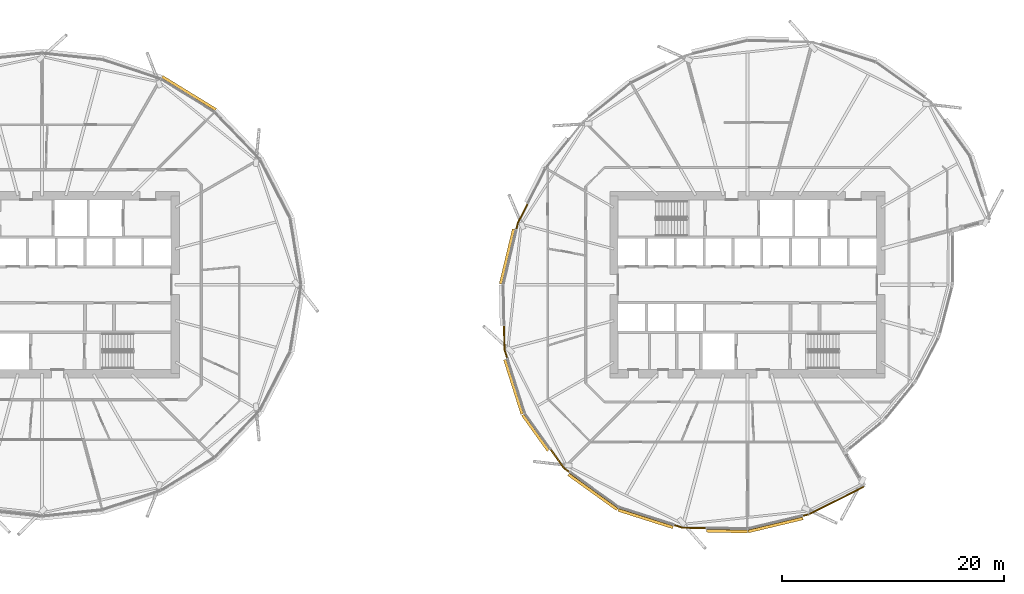
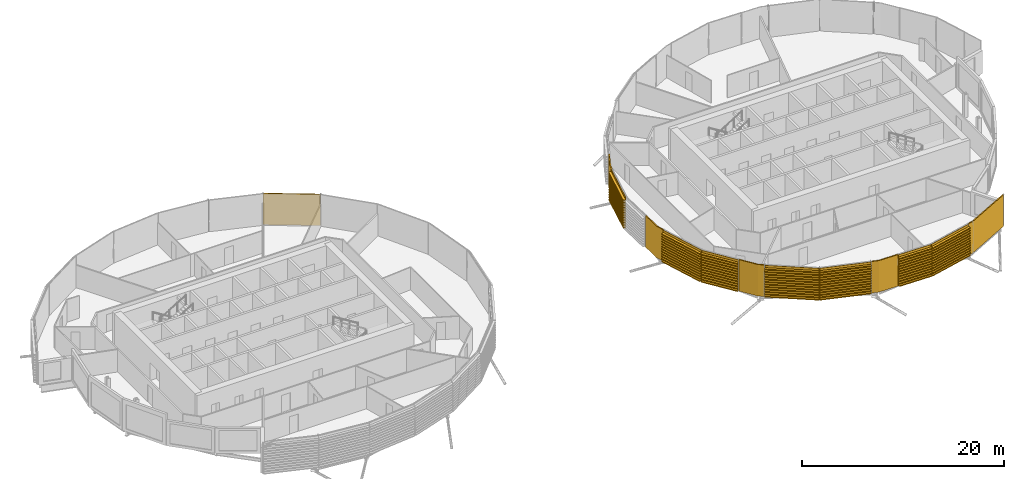
# One storey, part 37 of 39: 13 coverings.
"""IFC4 building model written with IfcOpenShell, lengths in metres."""

from ifc_helpers import new_model, si_unit, direction, frame, origin, place, context, subcontext, project, spatial, polyline, outline, extrude, material, layer, layer_set, material_profile, profile_set, type_object, element, save


model = new_model("IFC4")

# Units and contexts
model_context = context("Model", 3, precision=1e-05, world=origin(), true_north=direction((0.0, 1.0)))
body_context = subcontext(model_context, "Body", "Model", "MODEL_VIEW")
ifc_project = project(units=[si_unit("LENGTHUNIT", "METRE"), si_unit("AREAUNIT", "SQUARE_METRE"), si_unit("VOLUMEUNIT", "CUBIC_METRE"), si_unit("PLANEANGLEUNIT", "RADIAN"), si_unit("MASSUNIT", "GRAM", prefix="KILO")], contexts=[model_context])

# Site, building, storey
site_placement = place(None, origin())
site = spatial("IfcSite", under=ifc_project, at=site_placement, CompositionType="ELEMENT")
building_placement = place(site_placement, origin())
building = spatial("IfcBuilding", under=site, at=building_placement, Name="Rimbun Link Towers", CompositionType="ELEMENT")
storey_placement = place(building_placement, frame((0.0, 0.0, 112.0)))
storey = spatial("IfcBuildingStorey", under=building, at=storey_placement, Name="L27", CompositionType="ELEMENT", Elevation=112.0)

# Coverings
ifc_material_1 = material(Name="Terracotta", Category="masonry")
ifc_layer = layer(ifc_material_1, 0.1201171875)
ifc_layer_set = layer_set([ifc_layer], Name="LINK PIER terracotta cladding 120")
covering_type_1 = type_object("IfcCoveringType", Name="LINK PIER terracotta cladding 120", PredefinedType="CLADDING", material=ifc_layer_set)
covering_1_placement = place(storey_placement, origin())
element("IfcCovering", 1, at=covering_1_placement, inside=storey, type_object=covering_type_1, Name="LINK PIER cladding", PredefinedType="CLADDING", context=body_context, shape_type="SweptSolid", body=[
    extrude(outline(polyline([(11.008544921875, 4.9677734375), (11.14111328125, 5.522216796875), (12.025146484375, 7.28271484375), (11.91796875, 7.33642578125), (11.027587890625, 5.563720703125), (10.8916015625, 4.995849609375), (11.008544921875, 4.9677734375)])), origin(), (0.0, 0.0, 1.0), 3.800048828125),
])
covering_2_placement = place(storey_placement, origin())
element("IfcCovering", 2, at=covering_2_placement, inside=storey, type_object=covering_type_1, Name="LINK PIER cladding", PredefinedType="CLADDING", context=body_context, shape_type="SweptSolid", body=[
    extrude(outline(polyline([(10.19189453125, -6.62451171875), (9.943603515625, -5.843017578125), (9.897705078125, -3.673583984375), (9.77783203125, -3.676025390625), (9.823974609375, -5.86279296875), (10.07763671875, -6.660888671875), (10.19189453125, -6.62451171875)])), origin(), (0.0, 0.0, 1.0), 3.800048828125),
])
covering_3_placement = place(storey_placement, origin())
element("IfcCovering", 3, at=covering_3_placement, inside=storey, type_object=covering_type_1, Name="LINK PIER cladding", PredefinedType="CLADDING", context=body_context, shape_type="SweptSolid", body=[
    extrude(outline(polyline([(15.79052734375, -16.82470703125), (15.28662109375, -16.46337890625), (14.079833984375, -14.781494140625), (13.982421875, -14.8515625), (15.20068359375, -16.54931640625), (15.720458984375, -16.92236328125), (15.79052734375, -16.82470703125)])), origin(), (0.0, 0.0, 1.0), 3.800048828125),
])
covering_4_placement = place(storey_placement, origin())
element("IfcCovering", 4, at=covering_4_placement, inside=storey, type_object=covering_type_1, Name="LINK PIER cladding", PredefinedType="CLADDING", context=body_context, shape_type="SweptSolid", body=[
    extrude(outline(polyline([(28.026611328125, -21.85107421875), (25.906982421875, -21.806396484375), (25.173095703125, -21.5732421875), (25.136962890625, -21.6875), (25.88720703125, -21.926025390625), (28.02392578125, -21.97119140625), (28.026611328125, -21.85107421875)])), origin(), (0.0, 0.0, 1.0), 3.800048828125),
])
covering_5_placement = place(storey_placement, origin())
element("IfcCovering", 5, at=covering_5_placement, inside=storey, type_object=covering_type_1, Name="LINK PIER cladding", PredefinedType="CLADDING", context=body_context, shape_type="SweptSolid", body=[
    extrude(outline(polyline([(42.1884765625, -18.139892578125), (37.272216796875, -20.60888671875), (36.7177734375, -20.741455078125), (36.745849609375, -20.8583984375), (37.313720703125, -20.722412109375), (42.242431640625, -18.247314453125), (42.1884765625, -18.139892578125)])), origin(), (0.0, 0.0, 1.0), 3.800048828125),
])
ifc_material_2 = material(Name="Terracotta", Category="masonry")
ifc_material_profile = material_profile(ifc_material_2, outline(polyline([(0.123046875, 0.0), (0.1630859375, 0.0), (0.1630859375, 0.10009765625), (0.423095703125, 0.10009765625), (0.423095703125, 0.219970703125), (0.1630859375, 0.219970703125), (0.1630859375, 0.39990234375), (0.423095703125, 0.39990234375), (0.423095703125, 0.52001953125), (0.1630859375, 0.52001953125), (0.1630859375, 0.699951171875), (0.423095703125, 0.699951171875), (0.423095703125, 0.820068359375), (0.1630859375, 0.820068359375), (0.1630859375, 1.0), (0.423095703125, 1.0), (0.423095703125, 1.1201171875), (0.1630859375, 1.1201171875), (0.1630859375, 1.300048828125), (0.423095703125, 1.300048828125), (0.423095703125, 1.419921875), (0.1630859375, 1.419921875), (0.1630859375, 1.60009765625), (0.423095703125, 1.60009765625), (0.423095703125, 1.719970703125), (0.1630859375, 1.719970703125), (0.1630859375, 1.89990234375), (0.423095703125, 1.89990234375), (0.423095703125, 2.02001953125), (0.1630859375, 2.02001953125), (0.1630859375, 2.199951171875), (0.423095703125, 2.199951171875), (0.423095703125, 2.320068359375), (0.1630859375, 2.320068359375), (0.1630859375, 2.5), (0.423095703125, 2.5), (0.423095703125, 2.6201171875), (0.1630859375, 2.6201171875), (0.1630859375, 2.800048828125), (0.423095703125, 2.800048828125), (0.423095703125, 2.919921875), (0.1630859375, 2.919921875), (0.1630859375, 3.10009765625), (0.423095703125, 3.10009765625), (0.423095703125, 3.219970703125), (0.1630859375, 3.219970703125), (0.1630859375, 3.39990234375), (0.423095703125, 3.39990234375), (0.423095703125, 3.52001953125), (0.1630859375, 3.52001953125), (0.1630859375, 3.800048828125), (0.123046875, 3.800048828125), (0.123046875, 0.0)])), Name="BAGUETTE 120X300")
ifc_profile_set = profile_set([ifc_material_profile], Name="Terracotta")
covering_type_2 = type_object("IfcCoveringType", Name="TERRACOTTA BAGUETTE 120X300 H3800", PredefinedType="CLADDING", material=ifc_profile_set)
covering_6_placement = place(storey_placement, frame((-21.08203125, 18.4775390625, 0.0), z_axis=(0.852181989513, -0.523245503324, 0.0), x_axis=(0.523245503324, 0.852181989513, 0.0)))
element("IfcCovering", 6, at=covering_6_placement, inside=storey, type_object=covering_type_2, Name="TERRACOTTA BAGUETTE", PredefinedType="CLADDING", context=body_context, shape_type="SweptSolid", body=[
    extrude(outline(polyline([(0.123046875, 0.0), (0.1630859375, 0.0), (0.1630859375, 0.10009765625), (0.423095703125, 0.10009765625), (0.423095703125, 0.219970703125), (0.1630859375, 0.219970703125), (0.1630859375, 0.39990234375), (0.423095703125, 0.39990234375), (0.423095703125, 0.52001953125), (0.1630859375, 0.52001953125), (0.1630859375, 0.699951171875), (0.423095703125, 0.699951171875), (0.423095703125, 0.820068359375), (0.1630859375, 0.820068359375), (0.1630859375, 1.0), (0.423095703125, 1.0), (0.423095703125, 1.1201171875), (0.1630859375, 1.1201171875), (0.1630859375, 1.300048828125), (0.423095703125, 1.300048828125), (0.423095703125, 1.419921875), (0.1630859375, 1.419921875), (0.1630859375, 1.60009765625), (0.423095703125, 1.60009765625), (0.423095703125, 1.719970703125), (0.1630859375, 1.719970703125), (0.1630859375, 1.89990234375), (0.423095703125, 1.89990234375), (0.423095703125, 2.02001953125), (0.1630859375, 2.02001953125), (0.1630859375, 2.199951171875), (0.423095703125, 2.199951171875), (0.423095703125, 2.320068359375), (0.1630859375, 2.320068359375), (0.1630859375, 2.5), (0.423095703125, 2.5), (0.423095703125, 2.6201171875), (0.1630859375, 2.6201171875), (0.1630859375, 2.800048828125), (0.423095703125, 2.800048828125), (0.423095703125, 2.919921875), (0.1630859375, 2.919921875), (0.1630859375, 3.10009765625), (0.423095703125, 3.10009765625), (0.423095703125, 3.219970703125), (0.1630859375, 3.219970703125), (0.1630859375, 3.39990234375), (0.423095703125, 3.39990234375), (0.423095703125, 3.52001953125), (0.1630859375, 3.52001953125), (0.1630859375, 3.800048828125), (0.123046875, 3.800048828125), (0.123046875, 0.0)])), origin(), (0.0, 0.0, 1.0), 5.677978515625),
])
covering_7_placement = place(storey_placement, frame((9.8203125, 0.0, 0.0), z_axis=(0.232601883749, 0.972572035212, 0.0), x_axis=(-0.972572035212, 0.232601883749, 0.0)))
element("IfcCovering", 7, at=covering_7_placement, inside=storey, type_object=covering_type_2, Name="TERRACOTTA BAGUETTE", PredefinedType="CLADDING", context=body_context, shape_type="SweptSolid", body=[
    extrude(outline(polyline([(0.123046875, 0.0), (0.1630859375, 0.0), (0.1630859375, 0.10009765625), (0.423095703125, 0.10009765625), (0.423095703125, 0.219970703125), (0.1630859375, 0.219970703125), (0.1630859375, 0.39990234375), (0.423095703125, 0.39990234375), (0.423095703125, 0.52001953125), (0.1630859375, 0.52001953125), (0.1630859375, 0.699951171875), (0.423095703125, 0.699951171875), (0.423095703125, 0.820068359375), (0.1630859375, 0.820068359375), (0.1630859375, 1.0), (0.423095703125, 1.0), (0.423095703125, 1.1201171875), (0.1630859375, 1.1201171875), (0.1630859375, 1.300048828125), (0.423095703125, 1.300048828125), (0.423095703125, 1.419921875), (0.1630859375, 1.419921875), (0.1630859375, 1.60009765625), (0.423095703125, 1.60009765625), (0.423095703125, 1.719970703125), (0.1630859375, 1.719970703125), (0.1630859375, 1.89990234375), (0.423095703125, 1.89990234375), (0.423095703125, 2.02001953125), (0.1630859375, 2.02001953125), (0.1630859375, 2.199951171875), (0.423095703125, 2.199951171875), (0.423095703125, 2.320068359375), (0.1630859375, 2.320068359375), (0.1630859375, 2.5), (0.423095703125, 2.5), (0.423095703125, 2.6201171875), (0.1630859375, 2.6201171875), (0.1630859375, 2.800048828125), (0.423095703125, 2.800048828125), (0.423095703125, 2.919921875), (0.1630859375, 2.919921875), (0.1630859375, 3.10009765625), (0.423095703125, 3.10009765625), (0.423095703125, 3.219970703125), (0.1630859375, 3.219970703125), (0.1630859375, 3.39990234375), (0.423095703125, 3.39990234375), (0.423095703125, 3.52001953125), (0.1630859375, 3.52001953125), (0.1630859375, 3.800048828125), (0.123046875, 3.800048828125), (0.123046875, 0.0)])), origin(), (0.0, 0.0, 1.0), 5.077880859375),
])
covering_8_placement = place(storey_placement, frame((11.75634765625, -11.54345703125, 0.0), z_axis=(-0.303052449014, 0.952973878523, 0.0), x_axis=(-0.952973878523, -0.303052449014, 0.0)))
element("IfcCovering", 8, at=covering_8_placement, inside=storey, type_object=covering_type_2, Name="TERRACOTTA BAGUETTE", PredefinedType="CLADDING", context=body_context, shape_type="SweptSolid", body=[
    extrude(outline(polyline([(0.123046875, 0.0), (0.1630859375, 0.0), (0.1630859375, 0.10009765625), (0.423095703125, 0.10009765625), (0.423095703125, 0.219970703125), (0.1630859375, 0.219970703125), (0.1630859375, 0.39990234375), (0.423095703125, 0.39990234375), (0.423095703125, 0.52001953125), (0.1630859375, 0.52001953125), (0.1630859375, 0.699951171875), (0.423095703125, 0.699951171875), (0.423095703125, 0.820068359375), (0.1630859375, 0.820068359375), (0.1630859375, 1.0), (0.423095703125, 1.0), (0.423095703125, 1.1201171875), (0.1630859375, 1.1201171875), (0.1630859375, 1.300048828125), (0.423095703125, 1.300048828125), (0.423095703125, 1.419921875), (0.1630859375, 1.419921875), (0.1630859375, 1.60009765625), (0.423095703125, 1.60009765625), (0.423095703125, 1.719970703125), (0.1630859375, 1.719970703125), (0.1630859375, 1.89990234375), (0.423095703125, 1.89990234375), (0.423095703125, 2.02001953125), (0.1630859375, 2.02001953125), (0.1630859375, 2.199951171875), (0.423095703125, 2.199951171875), (0.423095703125, 2.320068359375), (0.1630859375, 2.320068359375), (0.1630859375, 2.5), (0.423095703125, 2.5), (0.423095703125, 2.6201171875), (0.1630859375, 2.6201171875), (0.1630859375, 2.800048828125), (0.423095703125, 2.800048828125), (0.423095703125, 2.919921875), (0.1630859375, 2.919921875), (0.1630859375, 3.10009765625), (0.423095703125, 3.10009765625), (0.423095703125, 3.219970703125), (0.1630859375, 3.219970703125), (0.1630859375, 3.39990234375), (0.423095703125, 3.39990234375), (0.423095703125, 3.52001953125), (0.1630859375, 3.52001953125), (0.1630859375, 3.800048828125), (0.123046875, 3.800048828125), (0.123046875, 0.0)])), origin(), (0.0, 0.0, 1.0), 5.131591796875),
])
covering_9_placement = place(storey_placement, frame((14.0625, -14.757080078125, 0.0), z_axis=(-0.583029233752, 0.812451175512, 0.0), x_axis=(-0.812451175512, -0.583029233752, 0.0)))
element("IfcCovering", 9, at=covering_9_placement, inside=storey, type_object=covering_type_2, Name="TERRACOTTA BAGUETTE", PredefinedType="CLADDING", context=body_context, shape_type="SweptSolid", body=[
    extrude(outline(polyline([(0.123046875, 0.0), (0.1630859375, 0.0), (0.1630859375, 0.10009765625), (0.423095703125, 0.10009765625), (0.423095703125, 0.219970703125), (0.1630859375, 0.219970703125), (0.1630859375, 0.39990234375), (0.423095703125, 0.39990234375), (0.423095703125, 0.52001953125), (0.1630859375, 0.52001953125), (0.1630859375, 0.699951171875), (0.423095703125, 0.699951171875), (0.423095703125, 0.820068359375), (0.1630859375, 0.820068359375), (0.1630859375, 1.0), (0.423095703125, 1.0), (0.423095703125, 1.1201171875), (0.1630859375, 1.1201171875), (0.1630859375, 1.300048828125), (0.423095703125, 1.300048828125), (0.423095703125, 1.419921875), (0.1630859375, 1.419921875), (0.1630859375, 1.60009765625), (0.423095703125, 1.60009765625), (0.423095703125, 1.719970703125), (0.1630859375, 1.719970703125), (0.1630859375, 1.89990234375), (0.423095703125, 1.89990234375), (0.423095703125, 2.02001953125), (0.1630859375, 2.02001953125), (0.1630859375, 2.199951171875), (0.423095703125, 2.199951171875), (0.423095703125, 2.320068359375), (0.1630859375, 2.320068359375), (0.1630859375, 2.5), (0.423095703125, 2.5), (0.423095703125, 2.6201171875), (0.1630859375, 2.6201171875), (0.1630859375, 2.800048828125), (0.423095703125, 2.800048828125), (0.423095703125, 2.919921875), (0.1630859375, 2.919921875), (0.1630859375, 3.10009765625), (0.423095703125, 3.10009765625), (0.423095703125, 3.219970703125), (0.1630859375, 3.219970703125), (0.1630859375, 3.39990234375), (0.423095703125, 3.39990234375), (0.423095703125, 3.52001953125), (0.1630859375, 3.52001953125), (0.1630859375, 3.800048828125), (0.123046875, 3.800048828125), (0.123046875, 0.0)])), origin(), (0.0, 0.0, 1.0), 3.95556640625),
])
covering_10_placement = place(storey_placement, frame((20.20654296875, -19.99365234375, 0.0), z_axis=(-0.812477325977, 0.582992791356, 0.0), x_axis=(-0.582992791356, -0.812477325977, 0.0)))
element("IfcCovering", 10, at=covering_10_placement, inside=storey, type_object=covering_type_2, Name="TERRACOTTA BAGUETTE", PredefinedType="CLADDING", context=body_context, shape_type="SweptSolid", body=[
    extrude(outline(polyline([(0.123046875, 0.0), (0.1630859375, 0.0), (0.1630859375, 0.10009765625), (0.423095703125, 0.10009765625), (0.423095703125, 0.219970703125), (0.1630859375, 0.219970703125), (0.1630859375, 0.39990234375), (0.423095703125, 0.39990234375), (0.423095703125, 0.52001953125), (0.1630859375, 0.52001953125), (0.1630859375, 0.699951171875), (0.423095703125, 0.699951171875), (0.423095703125, 0.820068359375), (0.1630859375, 0.820068359375), (0.1630859375, 1.0), (0.423095703125, 1.0), (0.423095703125, 1.1201171875), (0.1630859375, 1.1201171875), (0.1630859375, 1.300048828125), (0.423095703125, 1.300048828125), (0.423095703125, 1.419921875), (0.1630859375, 1.419921875), (0.1630859375, 1.60009765625), (0.423095703125, 1.60009765625), (0.423095703125, 1.719970703125), (0.1630859375, 1.719970703125), (0.1630859375, 1.89990234375), (0.423095703125, 1.89990234375), (0.423095703125, 2.02001953125), (0.1630859375, 2.02001953125), (0.1630859375, 2.199951171875), (0.423095703125, 2.199951171875), (0.423095703125, 2.320068359375), (0.1630859375, 2.320068359375), (0.1630859375, 2.5), (0.423095703125, 2.5), (0.423095703125, 2.6201171875), (0.1630859375, 2.6201171875), (0.1630859375, 2.800048828125), (0.423095703125, 2.800048828125), (0.423095703125, 2.919921875), (0.1630859375, 2.919921875), (0.1630859375, 3.10009765625), (0.423095703125, 3.10009765625), (0.423095703125, 3.219970703125), (0.1630859375, 3.219970703125), (0.1630859375, 3.39990234375), (0.423095703125, 3.39990234375), (0.423095703125, 3.52001953125), (0.1630859375, 3.52001953125), (0.1630859375, 3.800048828125), (0.123046875, 3.800048828125), (0.123046875, 0.0)])), origin(), (0.0, 0.0, 1.0), 5.405517578125),
])
covering_11_placement = place(storey_placement, frame((25.14453125, -21.56396484375, 0.0), z_axis=(-0.952974033405, 0.303051961973, 0.0), x_axis=(-0.303051961973, -0.952974033405, 0.0)))
element("IfcCovering", 11, at=covering_11_placement, inside=storey, type_object=covering_type_2, Name="TERRACOTTA BAGUETTE", PredefinedType="CLADDING", context=body_context, shape_type="SweptSolid", body=[
    extrude(outline(polyline([(0.123046875, 0.0), (0.1630859375, 0.0), (0.1630859375, 0.10009765625), (0.423095703125, 0.10009765625), (0.423095703125, 0.219970703125), (0.1630859375, 0.219970703125), (0.1630859375, 0.39990234375), (0.423095703125, 0.39990234375), (0.423095703125, 0.52001953125), (0.1630859375, 0.52001953125), (0.1630859375, 0.699951171875), (0.423095703125, 0.699951171875), (0.423095703125, 0.820068359375), (0.1630859375, 0.820068359375), (0.1630859375, 1.0), (0.423095703125, 1.0), (0.423095703125, 1.1201171875), (0.1630859375, 1.1201171875), (0.1630859375, 1.300048828125), (0.423095703125, 1.300048828125), (0.423095703125, 1.419921875), (0.1630859375, 1.419921875), (0.1630859375, 1.60009765625), (0.423095703125, 1.60009765625), (0.423095703125, 1.719970703125), (0.1630859375, 1.719970703125), (0.1630859375, 1.89990234375), (0.423095703125, 1.89990234375), (0.423095703125, 2.02001953125), (0.1630859375, 2.02001953125), (0.1630859375, 2.199951171875), (0.423095703125, 2.199951171875), (0.423095703125, 2.320068359375), (0.1630859375, 2.320068359375), (0.1630859375, 2.5), (0.423095703125, 2.5), (0.423095703125, 2.6201171875), (0.1630859375, 2.6201171875), (0.1630859375, 2.800048828125), (0.423095703125, 2.800048828125), (0.423095703125, 2.919921875), (0.1630859375, 2.919921875), (0.1630859375, 3.10009765625), (0.423095703125, 3.10009765625), (0.423095703125, 3.219970703125), (0.1630859375, 3.219970703125), (0.1630859375, 3.39990234375), (0.423095703125, 3.39990234375), (0.423095703125, 3.52001953125), (0.1630859375, 3.52001953125), (0.1630859375, 3.800048828125), (0.123046875, 3.800048828125), (0.123046875, 0.0)])), origin(), (0.0, 0.0, 1.0), 5.181640625),
])
covering_12_placement = place(storey_placement, frame((31.75, -21.9296875, 0.0), z_axis=(-0.999777749096, 0.021082040056, 0.0), x_axis=(-0.021082040056, -0.999777749096, 0.0)))
element("IfcCovering", 12, at=covering_12_placement, inside=storey, type_object=covering_type_2, Name="TERRACOTTA BAGUETTE", PredefinedType="CLADDING", context=body_context, shape_type="SweptSolid", body=[
    extrude(outline(polyline([(0.123046875, 0.0), (0.1630859375, 0.0), (0.1630859375, 0.10009765625), (0.423095703125, 0.10009765625), (0.423095703125, 0.219970703125), (0.1630859375, 0.219970703125), (0.1630859375, 0.39990234375), (0.423095703125, 0.39990234375), (0.423095703125, 0.52001953125), (0.1630859375, 0.52001953125), (0.1630859375, 0.699951171875), (0.423095703125, 0.699951171875), (0.423095703125, 0.820068359375), (0.1630859375, 0.820068359375), (0.1630859375, 1.0), (0.423095703125, 1.0), (0.423095703125, 1.1201171875), (0.1630859375, 1.1201171875), (0.1630859375, 1.300048828125), (0.423095703125, 1.300048828125), (0.423095703125, 1.419921875), (0.1630859375, 1.419921875), (0.1630859375, 1.60009765625), (0.423095703125, 1.60009765625), (0.423095703125, 1.719970703125), (0.1630859375, 1.719970703125), (0.1630859375, 1.89990234375), (0.423095703125, 1.89990234375), (0.423095703125, 2.02001953125), (0.1630859375, 2.02001953125), (0.1630859375, 2.199951171875), (0.423095703125, 2.199951171875), (0.423095703125, 2.320068359375), (0.1630859375, 2.320068359375), (0.1630859375, 2.5), (0.423095703125, 2.5), (0.423095703125, 2.6201171875), (0.1630859375, 2.6201171875), (0.1630859375, 2.800048828125), (0.423095703125, 2.800048828125), (0.423095703125, 2.919921875), (0.1630859375, 2.919921875), (0.1630859375, 3.10009765625), (0.423095703125, 3.10009765625), (0.423095703125, 3.219970703125), (0.1630859375, 3.219970703125), (0.1630859375, 3.39990234375), (0.423095703125, 3.39990234375), (0.423095703125, 3.52001953125), (0.1630859375, 3.52001953125), (0.1630859375, 3.800048828125), (0.123046875, 3.800048828125), (0.123046875, 0.0)])), origin(), (0.0, 0.0, 1.0), 3.694091796875),
])
covering_13_placement = place(storey_placement, frame((36.688720703125, -20.74853515625, 0.0), z_axis=(-0.972572035212, -0.232601883749, 0.0), x_axis=(0.232601883749, -0.972572035212, 0.0)))
element("IfcCovering", 13, at=covering_13_placement, inside=storey, type_object=covering_type_2, Name="TERRACOTTA BAGUETTE", PredefinedType="CLADDING", context=body_context, shape_type="SweptSolid", body=[
    extrude(outline(polyline([(0.123046875, 0.0), (0.1630859375, 0.0), (0.1630859375, 0.10009765625), (0.423095703125, 0.10009765625), (0.423095703125, 0.219970703125), (0.1630859375, 0.219970703125), (0.1630859375, 0.39990234375), (0.423095703125, 0.39990234375), (0.423095703125, 0.52001953125), (0.1630859375, 0.52001953125), (0.1630859375, 0.699951171875), (0.423095703125, 0.699951171875), (0.423095703125, 0.820068359375), (0.1630859375, 0.820068359375), (0.1630859375, 1.0), (0.423095703125, 1.0), (0.423095703125, 1.1201171875), (0.1630859375, 1.1201171875), (0.1630859375, 1.300048828125), (0.423095703125, 1.300048828125), (0.423095703125, 1.419921875), (0.1630859375, 1.419921875), (0.1630859375, 1.60009765625), (0.423095703125, 1.60009765625), (0.423095703125, 1.719970703125), (0.1630859375, 1.719970703125), (0.1630859375, 1.89990234375), (0.423095703125, 1.89990234375), (0.423095703125, 2.02001953125), (0.1630859375, 2.02001953125), (0.1630859375, 2.199951171875), (0.423095703125, 2.199951171875), (0.423095703125, 2.320068359375), (0.1630859375, 2.320068359375), (0.1630859375, 2.5), (0.423095703125, 2.5), (0.423095703125, 2.6201171875), (0.1630859375, 2.6201171875), (0.1630859375, 2.800048828125), (0.423095703125, 2.800048828125), (0.423095703125, 2.919921875), (0.1630859375, 2.919921875), (0.1630859375, 3.10009765625), (0.423095703125, 3.10009765625), (0.423095703125, 3.219970703125), (0.1630859375, 3.219970703125), (0.1630859375, 3.39990234375), (0.423095703125, 3.39990234375), (0.423095703125, 3.52001953125), (0.1630859375, 3.52001953125), (0.1630859375, 3.800048828125), (0.123046875, 3.800048828125), (0.123046875, 0.0)])), origin(), (0.0, 0.0, 1.0), 5.077880859375),
])

save(model, "model.ifc")
